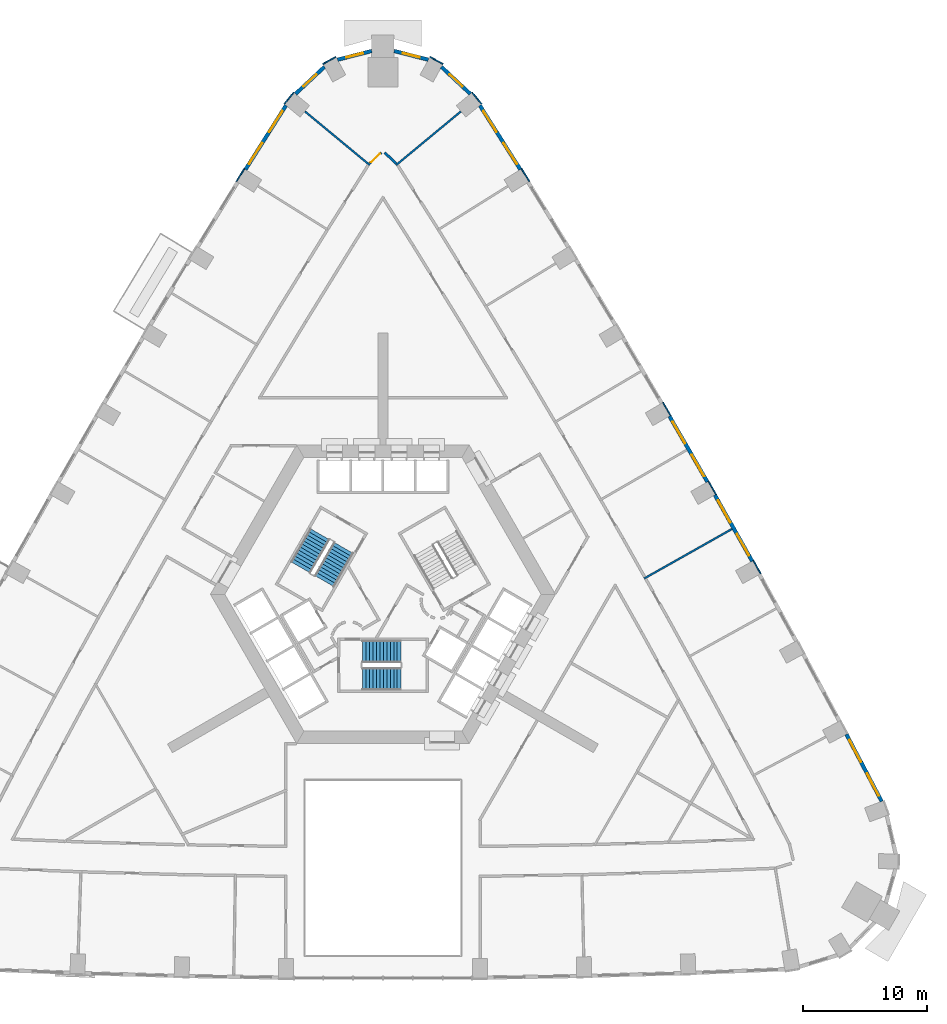
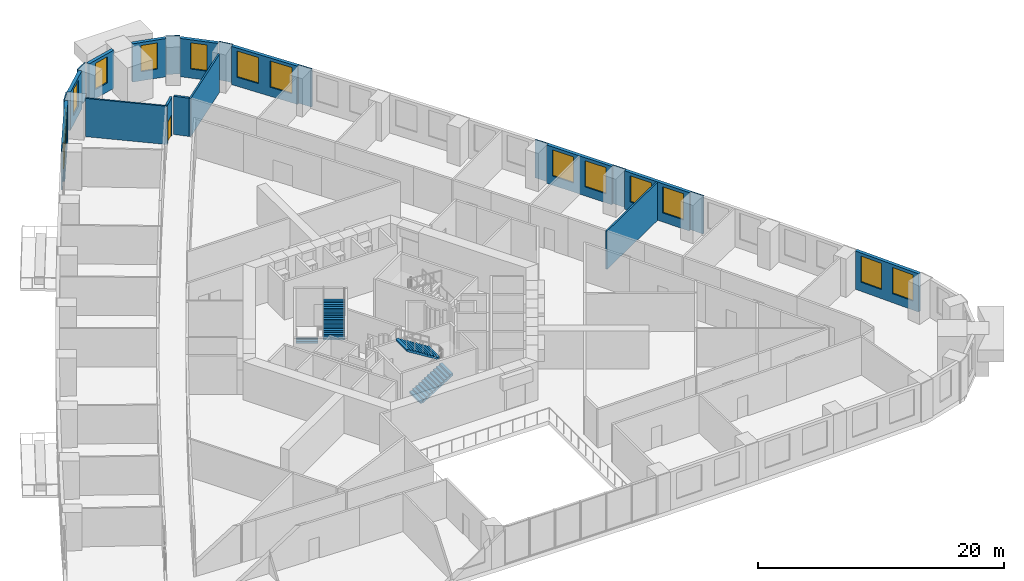
# One storey, part 12 of 16: 23 walls, 14 windows, 4 stair flights, 1 door, 15 openings, 2 elements without a shape of their own.
"""IFC4 building model written with IfcOpenShell, lengths in metres."""

from ifc_helpers import new_model, si_unit, direction, frame, frame_2d, origin, place, context, subcontext, project, spatial, polyline, rectangle, outline, extrude, material, layer, layer_set, type_object, element, fill, aggregate, save


model = new_model("IFC4")

# Units and contexts
model_context = context("Model", 3, precision=1e-05, world=origin(), true_north=direction((0.0, 1.0)))
body_context = subcontext(model_context, "Body", "Model", "MODEL_VIEW")
ifc_project = project(units=[si_unit("LENGTHUNIT", "METRE"), si_unit("AREAUNIT", "SQUARE_METRE"), si_unit("VOLUMEUNIT", "CUBIC_METRE"), si_unit("PLANEANGLEUNIT", "RADIAN"), si_unit("MASSUNIT", "GRAM", prefix="KILO")], contexts=[model_context])

# Site, building, storey
site_placement = place(None, origin())
site = spatial("IfcSite", under=ifc_project, at=site_placement, CompositionType="ELEMENT")
building_placement = place(site_placement, origin())
building = spatial("IfcBuilding", under=site, at=building_placement, Name="Entoto Arch Interchange Tower", CompositionType="ELEMENT")
storey_placement = place(building_placement, frame((0.0, 0.0, 43.39990234375)))
storey = spatial("IfcBuildingStorey", under=building, at=storey_placement, Name="L08", CompositionType="ELEMENT", Elevation=43.39990234375)

# Walls
ifc_material_1 = material(Name="Gypsum board partition on steel studs", Category="steel")
ifc_layer_1 = layer(ifc_material_1, 0.14990234375)
ifc_layer_set_1 = layer_set([ifc_layer_1], Name="Gypsum board partition on steel studs")
wall_type_1 = type_object("IfcWallType", Name="PARTITION 150", PredefinedType="PARTITIONING", material=ifc_layer_set_1)
wall_1_placement = place(storey_placement, frame((20.98291015625, 3.76611328125, 0.0), z_axis=(0.0, 0.0, 1.0), x_axis=(0.871022781656, 0.491242622169, 0.0)))
element("IfcWall", 1, at=wall_1_placement, inside=storey, type_object=wall_type_1, Name="wall:L08:p130", PredefinedType="PARTITIONING", context=body_context, shape_type="SweptSolid", body=[
    extrude(rectangle(XDim=8.099853515625, YDim=0.14990234375, at=frame_2d((4.0498046875, 0.0))), origin(), (0.0, 0.0, 1.0), 3.800048828125),
])
for number, where, z_axis, x_axis, name in (
    (2, (1.06005859375, 36.97998046875, 0.0), (0.0, 0.0, 1.0), (0.770307911054, 0.6376721118, 0.0), "wall:L08:p135"),
    (3, (-1.06005859375, 36.97998046875, 0.0), (0.0, 0.0, 1.0), (-0.770307911054, 0.6376721118, 0.0), "wall:L08:p136"),
):
    element("IfcWall", number, at=place(storey_placement, frame(where, z_axis=z_axis, x_axis=x_axis)), inside=storey, type_object=wall_type_1, Name=name, PredefinedType="PARTITIONING", context=body_context, shape_type="SweptSolid", body=[
        extrude(rectangle(XDim=6.748046875, YDim=0.14990234375, at=frame_2d((3.3740234375, 0.0))), origin(), (0.0, 0.0, 1.0), 3.800048828125),
    ])

# Wall, opening, door
ifc_layer_2 = layer(ifc_material_1, 0.199951171875)
ifc_layer_set_2 = layer_set([ifc_layer_2], Name="Gypsum board partition on steel studs")
wall_type_2 = type_object("IfcWallType", Name="PARTITION 200", PredefinedType="PARTITIONING", material=ifc_layer_set_2)
wall_2_placement = place(storey_placement, frame((-1.06396484375, 37.112060546875, 0.0), z_axis=(0.0, 0.0, 1.0), x_axis=(0.730320833825, 0.683104296342, 0.0)))
wall_2 = element("IfcWall", 4, at=wall_2_placement, inside=storey, type_object=wall_type_2, Name="wall:L08:p053", PredefinedType="PARTITIONING", context=body_context, shape_type="SweptSolid", body=[
    extrude(rectangle(XDim=1.27197265625, YDim=0.199951171875, at=frame_2d((0.635986328125, 0.0))), origin(), (0.0, 0.0, 1.0), 3.800048828125),
])
opening_1_placement = place(wall_2_placement, frame((0.135986328125, 0.0, 0.0)))
opening_1 = element("IfcOpeningElement", 5, at=opening_1_placement, cuts=wall_2, Name="Opening L08-D11", PredefinedType="OPENING", context=body_context, shape_type="SweptSolid", body=[
    extrude(rectangle(XDim=1.0, YDim=2.10009765625, at=frame_2d((0.5, 1.050048828125))), frame((0.0, 0.10986328125, 0.0), z_axis=(0.0, -1.0, 0.0), x_axis=(1.0, 0.0, 0.0)), (0.0, 0.0, 1.0), 0.219970703125),
])
ifc_material_2 = material(Name="Timber door leaf in Steel S235 frame", Category="steel")
door_type = type_object("IfcDoorType", Name="DOOR DS-10 1000x2100", OperationType="SINGLE_SWING_LEFT", PredefinedType="DOOR", material=ifc_material_2)
door_placement = place(opening_1_placement, origin())
door = element("IfcDoor", 6, at=door_placement, inside=storey, type_object=door_type, Name="door:L08:11", OperationType="SINGLE_SWING_RIGHT", OverallHeight=2.10009765625, OverallWidth=1.0, PredefinedType="DOOR", context=body_context, shape_type="SweptSolid", body=[
    extrude(rectangle(XDim=1.0, YDim=2.10009765625, at=frame_2d((0.5, 1.050048828125))), frame((0.0, 0.02490234375, 0.0), z_axis=(0.0, -1.0, 0.0), x_axis=(1.0, 0.0, 0.0)), (0.0, 0.0, 1.0), 0.050048828125),
])
fill(opening_1, door)

# Wall
wall_3_placement = place(storey_placement, frame((0.135009765625, 37.98095703125, 0.0), z_axis=(0.0, 0.0, 1.0), x_axis=(0.730320833825, -0.683104296342, 0.0)))
element("IfcWall", 7, at=wall_3_placement, inside=storey, type_object=wall_type_2, Name="wall:L08:p054", PredefinedType="PARTITIONING", context=body_context, shape_type="SweptSolid", body=[
    extrude(rectangle(XDim=1.27197265625, YDim=0.199951171875, at=frame_2d((0.635986328125, 0.0))), origin(), (0.0, 0.0, 1.0), 3.800048828125),
])

# Wall, openings, windows
ifc_material_3 = material(Name="Welded tuff (ignimbrite) cladding, warm buff", Category="masonry")
ifc_layer_3 = layer(ifc_material_3, 0.300048828125)
ifc_layer_set_3 = layer_set([ifc_layer_3], Name="Welded tuff (ignimbrite) cladding, warm buff")
wall_type_3 = type_object("IfcWallType", Name="STONE INFILL WALL 300", PredefinedType="STANDARD", material=ifc_layer_set_3)
wall_4_placement = place(storey_placement, frame((40.072021484375, -14.14111328125, 0.0), z_axis=(0.0, 0.0, 1.0), x_axis=(-0.464913987781, 0.885355851602, 0.0)))
wall_4 = element("IfcWall", 8, at=wall_4_placement, inside=storey, type_object=wall_type_3, Name="Facade wall NE-01 L08", PredefinedType="STANDARD", context=body_context, shape_type="SweptSolid", body=[
    extrude(rectangle(XDim=6.093505859375, YDim=0.300048828125, at=frame_2d((3.046875, 0.0))), origin(), (0.0, 0.0, 1.0), 3.800048828125),
])
opening_2_placement = place(wall_4_placement, frame((0.52294921875, 0.0, 0.89990234375)))
opening_2 = element("IfcOpeningElement", 9, at=opening_2_placement, cuts=wall_4, Name="Opening WO-C", PredefinedType="OPENING", context=body_context, shape_type="SweptSolid", body=[
    extrude(rectangle(XDim=2.0, YDim=2.60009765625, at=frame_2d((1.0, 1.300048828125))), frame((0.0, 0.16015625, 0.0), z_axis=(0.0, -1.0, 0.0), x_axis=(1.0, 0.0, 0.0)), (0.0, 0.0, 1.0), 0.320068359375),
])
opening_3_placement = place(wall_4_placement, frame((3.570068359375, 0.0, 0.89990234375)))
opening_3 = element("IfcOpeningElement", 10, at=opening_3_placement, cuts=wall_4, Name="Opening WO-C", PredefinedType="OPENING", context=body_context, shape_type="SweptSolid", body=[
    extrude(rectangle(XDim=2.0, YDim=2.60009765625, at=frame_2d((1.0, 1.300048828125))), frame((0.0, 0.16015625, 0.0), z_axis=(0.0, -1.0, 0.0), x_axis=(1.0, 0.0, 0.0)), (0.0, 0.0, 1.0), 0.320068359375),
])
ifc_material_4 = material(Name="Clear glass, low-e double glazed", Category="glass")
window_type_1 = type_object("IfcWindowType", Name="WINDOW WO-C 2000x2600", PartitioningType="DOUBLE_PANEL_VERTICAL", PredefinedType="WINDOW", material=ifc_material_4)
window_1_placement = place(opening_2_placement, origin())
window_1 = element("IfcWindow", 11, at=window_1_placement, inside=storey, type_object=window_type_1, Name="Window WO-C NE-01 L08", OverallHeight=2.60009765625, OverallWidth=2.0, PartitioningType="SINGLE_PANEL", PredefinedType="WINDOW", context=body_context, shape_type="SweptSolid", body=[
    extrude(rectangle(XDim=2.0, YDim=2.60009765625, at=frame_2d((1.0, 1.300048828125))), frame((0.0, 0.030029296875, 0.0), z_axis=(0.0, -1.0, 0.0), x_axis=(1.0, 0.0, 0.0)), (0.0, 0.0, 1.0), 0.06005859375),
])
fill(opening_2, window_1)
window_2_placement = place(opening_3_placement, origin())
window_2 = element("IfcWindow", 12, at=window_2_placement, inside=storey, type_object=window_type_1, Name="Window WO-C NE-01 L08", OverallHeight=2.60009765625, OverallWidth=2.0, PartitioningType="SINGLE_PANEL", PredefinedType="WINDOW", context=body_context, shape_type="SweptSolid", body=[
    extrude(rectangle(XDim=2.0, YDim=2.60009765625, at=frame_2d((1.0, 1.300048828125))), frame((0.0, 0.030029296875, 0.0), z_axis=(0.0, -1.0, 0.0), x_axis=(1.0, 0.0, 0.0)), (0.0, 0.0, 1.0), 0.06005859375),
])
fill(opening_3, window_2)

wall_5_placement = place(storey_placement, frame((29.672119140625, 5.154052734375, 0.0), z_axis=(0.0, 0.0, 1.0), x_axis=(-0.491278487323, 0.871002553322, 0.0)))
wall_5 = element("IfcWall", 13, at=wall_5_placement, inside=storey, type_object=wall_type_3, Name="Facade wall NE-04 L08", PredefinedType="STANDARD", context=body_context, shape_type="SweptSolid", body=[
    extrude(rectangle(XDim=6.116943359375, YDim=0.300048828125, at=frame_2d((3.05859375, 0.0))), origin(), (0.0, 0.0, 1.0), 3.800048828125),
])
opening_4_placement = place(wall_5_placement, frame((0.529052734375, 0.0, 0.89990234375)))
opening_4 = element("IfcOpeningElement", 14, at=opening_4_placement, cuts=wall_5, Name="Opening WO-C", PredefinedType="OPENING", context=body_context, shape_type="SweptSolid", body=[
    extrude(rectangle(XDim=2.0, YDim=2.60009765625, at=frame_2d((1.0, 1.300048828125))), frame((0.0, 0.16015625, 0.0), z_axis=(0.0, -1.0, 0.0), x_axis=(1.0, 0.0, 0.0)), (0.0, 0.0, 1.0), 0.320068359375),
])
opening_5_placement = place(wall_5_placement, frame((3.587890625, 0.0, 0.89990234375)))
opening_5 = element("IfcOpeningElement", 15, at=opening_5_placement, cuts=wall_5, Name="Opening WO-C", PredefinedType="OPENING", context=body_context, shape_type="SweptSolid", body=[
    extrude(rectangle(XDim=2.0, YDim=2.60009765625, at=frame_2d((1.0, 1.300048828125))), frame((0.0, 0.16015625, 0.0), z_axis=(0.0, -1.0, 0.0), x_axis=(1.0, 0.0, 0.0)), (0.0, 0.0, 1.0), 0.320068359375),
])
window_3_placement = place(opening_4_placement, origin())
window_3 = element("IfcWindow", 16, at=window_3_placement, inside=storey, type_object=window_type_1, Name="Window WO-C NE-04 L08", OverallHeight=2.60009765625, OverallWidth=2.0, PartitioningType="SINGLE_PANEL", PredefinedType="WINDOW", context=body_context, shape_type="SweptSolid", body=[
    extrude(rectangle(XDim=2.0, YDim=2.60009765625, at=frame_2d((1.0, 1.300048828125))), frame((0.0, 0.030029296875, 0.0), z_axis=(0.0, -1.0, 0.0), x_axis=(1.0, 0.0, 0.0)), (0.0, 0.0, 1.0), 0.06005859375),
])
fill(opening_4, window_3)
window_4_placement = place(opening_5_placement, origin())
window_4 = element("IfcWindow", 17, at=window_4_placement, inside=storey, type_object=window_type_1, Name="Window WO-C NE-04 L08", OverallHeight=2.60009765625, OverallWidth=2.0, PartitioningType="SINGLE_PANEL", PredefinedType="WINDOW", context=body_context, shape_type="SweptSolid", body=[
    extrude(rectangle(XDim=2.0, YDim=2.60009765625, at=frame_2d((1.0, 1.300048828125))), frame((0.0, 0.030029296875, 0.0), z_axis=(0.0, -1.0, 0.0), x_axis=(1.0, 0.0, 0.0)), (0.0, 0.0, 1.0), 0.06005859375),
])
fill(opening_5, window_4)

wall_6_placement = place(storey_placement, frame((26.072998046875, 11.52197265625, 0.0), z_axis=(0.0, 0.0, 1.0), x_axis=(-0.499976985038, 0.866038691071, 0.0)))
wall_6 = element("IfcWall", 18, at=wall_6_placement, inside=storey, type_object=wall_type_3, Name="Facade wall NE-05 L08", PredefinedType="STANDARD", context=body_context, shape_type="SweptSolid", body=[
    extrude(rectangle(XDim=6.116455078125, YDim=0.300048828125, at=frame_2d((3.05810546875, 0.0))), origin(), (0.0, 0.0, 1.0), 3.800048828125),
])
opening_6_placement = place(wall_6_placement, frame((0.529052734375, 0.0, 0.89990234375)))
opening_6 = element("IfcOpeningElement", 19, at=opening_6_placement, cuts=wall_6, Name="Opening WO-C", PredefinedType="OPENING", context=body_context, shape_type="SweptSolid", body=[
    extrude(rectangle(XDim=2.0, YDim=2.60009765625, at=frame_2d((1.0, 1.300048828125))), frame((0.0, 0.16015625, 0.0), z_axis=(0.0, -1.0, 0.0), x_axis=(1.0, 0.0, 0.0)), (0.0, 0.0, 1.0), 0.320068359375),
])
opening_7_placement = place(wall_6_placement, frame((3.5869140625, 0.0, 0.89990234375)))
opening_7 = element("IfcOpeningElement", 20, at=opening_7_placement, cuts=wall_6, Name="Opening WO-C", PredefinedType="OPENING", context=body_context, shape_type="SweptSolid", body=[
    extrude(rectangle(XDim=2.0, YDim=2.60009765625, at=frame_2d((1.0, 1.300048828125))), frame((0.0, 0.16015625, 0.0), z_axis=(0.0, -1.0, 0.0), x_axis=(1.0, 0.0, 0.0)), (0.0, 0.0, 1.0), 0.320068359375),
])
window_5_placement = place(opening_6_placement, origin())
window_5 = element("IfcWindow", 21, at=window_5_placement, inside=storey, type_object=window_type_1, Name="Window WO-C NE-05 L08", OverallHeight=2.60009765625, OverallWidth=2.0, PartitioningType="SINGLE_PANEL", PredefinedType="WINDOW", context=body_context, shape_type="SweptSolid", body=[
    extrude(rectangle(XDim=2.0, YDim=2.60009765625, at=frame_2d((1.0, 1.300048828125))), frame((0.0, 0.030029296875, 0.0), z_axis=(0.0, -1.0, 0.0), x_axis=(1.0, 0.0, 0.0)), (0.0, 0.0, 1.0), 0.06005859375),
])
fill(opening_6, window_5)
window_6_placement = place(opening_7_placement, origin())
window_6 = element("IfcWindow", 22, at=window_6_placement, inside=storey, type_object=window_type_1, Name="Window WO-C NE-05 L08", OverallHeight=2.60009765625, OverallWidth=2.0, PartitioningType="SINGLE_PANEL", PredefinedType="WINDOW", context=body_context, shape_type="SweptSolid", body=[
    extrude(rectangle(XDim=2.0, YDim=2.60009765625, at=frame_2d((1.0, 1.300048828125))), frame((0.0, 0.030029296875, 0.0), z_axis=(0.0, -1.0, 0.0), x_axis=(1.0, 0.0, 0.0)), (0.0, 0.0, 1.0), 0.06005859375),
])
fill(opening_7, window_6)

wall_7_placement = place(storey_placement, frame((11.044921875, 36.623046875, 0.0), z_axis=(0.0, 0.0, 1.0), x_axis=(-0.53437888117, 0.845245059944, 0.0)))
wall_7 = element("IfcWall", 23, at=wall_7_placement, inside=storey, type_object=wall_type_3, Name="Facade wall NE-09 L08", PredefinedType="STANDARD", context=body_context, shape_type="SweptSolid", body=[
    extrude(rectangle(XDim=6.0927734375, YDim=0.300048828125, at=frame_2d((3.04638671875, 0.0))), origin(), (0.0, 0.0, 1.0), 3.800048828125),
])
opening_8_placement = place(wall_7_placement, frame((0.52294921875, 0.0, 0.89990234375)))
opening_8 = element("IfcOpeningElement", 24, at=opening_8_placement, cuts=wall_7, Name="Opening WO-C", PredefinedType="OPENING", context=body_context, shape_type="SweptSolid", body=[
    extrude(rectangle(XDim=2.0, YDim=2.60009765625, at=frame_2d((1.0, 1.300048828125))), frame((0.0, 0.16015625, 0.0), z_axis=(0.0, -1.0, 0.0), x_axis=(1.0, 0.0, 0.0)), (0.0, 0.0, 1.0), 0.320068359375),
])
opening_9_placement = place(wall_7_placement, frame((3.570068359375, 0.0, 0.89990234375)))
opening_9 = element("IfcOpeningElement", 25, at=opening_9_placement, cuts=wall_7, Name="Opening WO-C", PredefinedType="OPENING", context=body_context, shape_type="SweptSolid", body=[
    extrude(rectangle(XDim=2.0, YDim=2.60009765625, at=frame_2d((1.0, 1.300048828125))), frame((0.0, 0.16015625, 0.0), z_axis=(0.0, -1.0, 0.0), x_axis=(1.0, 0.0, 0.0)), (0.0, 0.0, 1.0), 0.320068359375),
])
window_7_placement = place(opening_8_placement, origin())
window_7 = element("IfcWindow", 26, at=window_7_placement, inside=storey, type_object=window_type_1, Name="Window WO-C NE-09 L08", OverallHeight=2.60009765625, OverallWidth=2.0, PartitioningType="SINGLE_PANEL", PredefinedType="WINDOW", context=body_context, shape_type="SweptSolid", body=[
    extrude(rectangle(XDim=2.0, YDim=2.60009765625, at=frame_2d((1.0, 1.300048828125))), frame((0.0, 0.030029296875, 0.0), z_axis=(0.0, -1.0, 0.0), x_axis=(1.0, 0.0, 0.0)), (0.0, 0.0, 1.0), 0.06005859375),
])
fill(opening_8, window_7)
window_8_placement = place(opening_9_placement, origin())
window_8 = element("IfcWindow", 27, at=window_8_placement, inside=storey, type_object=window_type_1, Name="Window WO-C NE-09 L08", OverallHeight=2.60009765625, OverallWidth=2.0, PartitioningType="SINGLE_PANEL", PredefinedType="WINDOW", context=body_context, shape_type="SweptSolid", body=[
    extrude(rectangle(XDim=2.0, YDim=2.60009765625, at=frame_2d((1.0, 1.300048828125))), frame((0.0, 0.030029296875, 0.0), z_axis=(0.0, -1.0, 0.0), x_axis=(1.0, 0.0, 0.0)), (0.0, 0.0, 1.0), 0.06005859375),
])
fill(opening_9, window_8)

# Wall, opening, window
wall_8_placement = place(storey_placement, frame((7.02490234375, 42.696044921875, 0.0), z_axis=(0.0, 0.0, 1.0), x_axis=(-0.730600984463, 0.682804658377, 0.0)))
wall_8 = element("IfcWall", 28, at=wall_8_placement, inside=storey, type_object=wall_type_3, Name="Facade wall N-01 L08", PredefinedType="STANDARD", context=body_context, shape_type="SweptSolid", body=[
    extrude(rectangle(XDim=3.18212890625, YDim=0.300048828125, at=frame_2d((1.591064453125, 0.0))), origin(), (0.0, 0.0, 1.0), 3.800048828125),
])
opening_10_placement = place(wall_8_placement, frame((0.89111328125, 0.0, 0.89990234375)))
opening_10 = element("IfcOpeningElement", 29, at=opening_10_placement, cuts=wall_8, Name="Opening WO-B", PredefinedType="OPENING", context=body_context, shape_type="SweptSolid", body=[
    extrude(rectangle(XDim=1.39990234375, YDim=2.60009765625, at=frame_2d((0.699951171875, 1.300048828125))), frame((0.0, 0.16015625, 0.0), z_axis=(0.0, -1.0, 0.0), x_axis=(1.0, 0.0, 0.0)), (0.0, 0.0, 1.0), 0.320068359375),
])
window_type_2 = type_object("IfcWindowType", Name="WINDOW WO-B 1400x2600", PartitioningType="DOUBLE_PANEL_VERTICAL", PredefinedType="WINDOW", material=ifc_material_4)
window_9_placement = place(opening_10_placement, origin())
window_9 = element("IfcWindow", 30, at=window_9_placement, inside=storey, type_object=window_type_2, Name="Window WO-B N-01 L08", OverallHeight=2.60009765625, OverallWidth=1.39990234375, PartitioningType="SINGLE_PANEL", PredefinedType="WINDOW", context=body_context, shape_type="SweptSolid", body=[
    extrude(rectangle(XDim=1.39990234375, YDim=2.60009765625, at=frame_2d((0.699951171875, 1.300048828125))), frame((0.0, 0.030029296875, 0.0), z_axis=(0.0, -1.0, 0.0), x_axis=(1.0, 0.0, 0.0)), (0.0, 0.0, 1.0), 0.06005859375),
])
fill(opening_10, window_9)

wall_9_placement = place(storey_placement, frame((3.64990234375, 45.444091796875, 0.0), z_axis=(0.0, 0.0, 1.0), x_axis=(-0.96879262207, 0.247872659694, 0.0)))
wall_9 = element("IfcWall", 31, at=wall_9_placement, inside=storey, type_object=wall_type_3, Name="Facade wall N-02 L08", PredefinedType="STANDARD", context=body_context, shape_type="SweptSolid", body=[
    extrude(rectangle(XDim=2.839599609375, YDim=0.300048828125, at=frame_2d((1.419921875, 0.0))), origin(), (0.0, 0.0, 1.0), 3.800048828125),
])
opening_11_placement = place(wall_9_placement, frame((0.719970703125, 0.0, 0.89990234375)))
opening_11 = element("IfcOpeningElement", 32, at=opening_11_placement, cuts=wall_9, Name="Opening WO-B", PredefinedType="OPENING", context=body_context, shape_type="SweptSolid", body=[
    extrude(rectangle(XDim=1.39990234375, YDim=2.60009765625, at=frame_2d((0.699951171875, 1.300048828125))), frame((0.0, 0.16015625, 0.0), z_axis=(0.0, -1.0, 0.0), x_axis=(1.0, 0.0, 0.0)), (0.0, 0.0, 1.0), 0.320068359375),
])
window_10_placement = place(opening_11_placement, origin())
window_10 = element("IfcWindow", 33, at=window_10_placement, inside=storey, type_object=window_type_2, Name="Window WO-B N-02 L08", OverallHeight=2.60009765625, OverallWidth=1.39990234375, PartitioningType="SINGLE_PANEL", PredefinedType="WINDOW", context=body_context, shape_type="SweptSolid", body=[
    extrude(rectangle(XDim=1.39990234375, YDim=2.60009765625, at=frame_2d((0.699951171875, 1.300048828125))), frame((0.0, 0.030029296875, 0.0), z_axis=(0.0, -1.0, 0.0), x_axis=(1.0, 0.0, 0.0)), (0.0, 0.0, 1.0), 0.06005859375),
])
fill(opening_11, window_10)

wall_10_placement = place(storey_placement, frame((-0.89892578125, 46.14794921875, 0.0), z_axis=(0.0, 0.0, 1.0), x_axis=(-0.96879262207, -0.247872659694, 0.0)))
wall_10 = element("IfcWall", 34, at=wall_10_placement, inside=storey, type_object=wall_type_3, Name="Facade wall N-03 L08", PredefinedType="STANDARD", context=body_context, shape_type="SweptSolid", body=[
    extrude(rectangle(XDim=2.839599609375, YDim=0.300048828125, at=frame_2d((1.419921875, 0.0))), origin(), (0.0, 0.0, 1.0), 3.800048828125),
])
opening_12_placement = place(wall_10_placement, frame((0.719970703125, 0.0, 0.89990234375)))
opening_12 = element("IfcOpeningElement", 35, at=opening_12_placement, cuts=wall_10, Name="Opening WO-B", PredefinedType="OPENING", context=body_context, shape_type="SweptSolid", body=[
    extrude(rectangle(XDim=1.39990234375, YDim=2.60009765625, at=frame_2d((0.699951171875, 1.300048828125))), frame((0.0, 0.16015625, 0.0), z_axis=(0.0, -1.0, 0.0), x_axis=(1.0, 0.0, 0.0)), (0.0, 0.0, 1.0), 0.320068359375),
])
window_11_placement = place(opening_12_placement, origin())
window_11 = element("IfcWindow", 36, at=window_11_placement, inside=storey, type_object=window_type_2, Name="Window WO-B N-03 L08", OverallHeight=2.60009765625, OverallWidth=1.39990234375, PartitioningType="SINGLE_PANEL", PredefinedType="WINDOW", context=body_context, shape_type="SweptSolid", body=[
    extrude(rectangle(XDim=1.39990234375, YDim=2.60009765625, at=frame_2d((0.699951171875, 1.300048828125))), frame((0.0, 0.030029296875, 0.0), z_axis=(0.0, -1.0, 0.0), x_axis=(1.0, 0.0, 0.0)), (0.0, 0.0, 1.0), 0.06005859375),
])
fill(opening_12, window_11)

wall_11_placement = place(storey_placement, frame((-4.699951171875, 44.868896484375, 0.0), z_axis=(0.0, 0.0, 1.0), x_axis=(-0.730600984463, -0.682804658377, 0.0)))
wall_11 = element("IfcWall", 37, at=wall_11_placement, inside=storey, type_object=wall_type_3, Name="Facade wall N-04 L08", PredefinedType="STANDARD", context=body_context, shape_type="SweptSolid", body=[
    extrude(rectangle(XDim=3.18212890625, YDim=0.300048828125, at=frame_2d((1.591064453125, 0.0))), origin(), (0.0, 0.0, 1.0), 3.800048828125),
])
opening_13_placement = place(wall_11_placement, frame((0.89111328125, 0.0, 0.89990234375)))
opening_13 = element("IfcOpeningElement", 38, at=opening_13_placement, cuts=wall_11, Name="Opening WO-B", PredefinedType="OPENING", context=body_context, shape_type="SweptSolid", body=[
    extrude(rectangle(XDim=1.39990234375, YDim=2.60009765625, at=frame_2d((0.699951171875, 1.300048828125))), frame((0.0, 0.16015625, 0.0), z_axis=(0.0, -1.0, 0.0), x_axis=(1.0, 0.0, 0.0)), (0.0, 0.0, 1.0), 0.320068359375),
])
window_12_placement = place(opening_13_placement, origin())
window_12 = element("IfcWindow", 39, at=window_12_placement, inside=storey, type_object=window_type_2, Name="Window WO-B N-04 L08", OverallHeight=2.60009765625, OverallWidth=1.39990234375, PartitioningType="SINGLE_PANEL", PredefinedType="WINDOW", context=body_context, shape_type="SweptSolid", body=[
    extrude(rectangle(XDim=1.39990234375, YDim=2.60009765625, at=frame_2d((0.699951171875, 1.300048828125))), frame((0.0, 0.030029296875, 0.0), z_axis=(0.0, -1.0, 0.0), x_axis=(1.0, 0.0, 0.0)), (0.0, 0.0, 1.0), 0.06005859375),
])
fill(opening_13, window_12)

# Wall, openings, windows
wall_12_placement = place(storey_placement, frame((-7.7890625, 41.77294921875, 0.0), z_axis=(0.0, 0.0, 1.0), x_axis=(-0.53437888117, -0.845245059944, 0.0)))
wall_12 = element("IfcWall", 40, at=wall_12_placement, inside=storey, type_object=wall_type_3, Name="Facade wall NW-01 L08", PredefinedType="STANDARD", context=body_context, shape_type="SweptSolid", body=[
    extrude(rectangle(XDim=6.0927734375, YDim=0.300048828125, at=frame_2d((3.04638671875, 0.0))), origin(), (0.0, 0.0, 1.0), 3.800048828125),
])
opening_14_placement = place(wall_12_placement, frame((0.52294921875, 0.0, 0.89990234375)))
opening_14 = element("IfcOpeningElement", 41, at=opening_14_placement, cuts=wall_12, Name="Opening WO-C", PredefinedType="OPENING", context=body_context, shape_type="SweptSolid", body=[
    extrude(rectangle(XDim=2.0, YDim=2.60009765625, at=frame_2d((1.0, 1.300048828125))), frame((0.0, 0.16015625, 0.0), z_axis=(0.0, -1.0, 0.0), x_axis=(1.0, 0.0, 0.0)), (0.0, 0.0, 1.0), 0.320068359375),
])
opening_15_placement = place(wall_12_placement, frame((3.570068359375, 0.0, 0.89990234375)))
opening_15 = element("IfcOpeningElement", 42, at=opening_15_placement, cuts=wall_12, Name="Opening WO-C", PredefinedType="OPENING", context=body_context, shape_type="SweptSolid", body=[
    extrude(rectangle(XDim=2.0, YDim=2.60009765625, at=frame_2d((1.0, 1.300048828125))), frame((0.0, 0.16015625, 0.0), z_axis=(0.0, -1.0, 0.0), x_axis=(1.0, 0.0, 0.0)), (0.0, 0.0, 1.0), 0.320068359375),
])
window_13_placement = place(opening_14_placement, origin())
window_13 = element("IfcWindow", 43, at=window_13_placement, inside=storey, type_object=window_type_1, Name="Window WO-C NW-01 L08", OverallHeight=2.60009765625, OverallWidth=2.0, PartitioningType="SINGLE_PANEL", PredefinedType="WINDOW", context=body_context, shape_type="SweptSolid", body=[
    extrude(rectangle(XDim=2.0, YDim=2.60009765625, at=frame_2d((1.0, 1.300048828125))), frame((0.0, 0.030029296875, 0.0), z_axis=(0.0, -1.0, 0.0), x_axis=(1.0, 0.0, 0.0)), (0.0, 0.0, 1.0), 0.06005859375),
])
fill(opening_14, window_13)
window_14_placement = place(opening_15_placement, origin())
window_14 = element("IfcWindow", 44, at=window_14_placement, inside=storey, type_object=window_type_1, Name="Window WO-C NW-01 L08", OverallHeight=2.60009765625, OverallWidth=2.0, PartitioningType="SINGLE_PANEL", PredefinedType="WINDOW", context=body_context, shape_type="SweptSolid", body=[
    extrude(rectangle(XDim=2.0, YDim=2.60009765625, at=frame_2d((1.0, 1.300048828125))), frame((0.0, 0.030029296875, 0.0), z_axis=(0.0, -1.0, 0.0), x_axis=(1.0, 0.0, 0.0)), (0.0, 0.0, 1.0), 0.06005859375),
])
fill(opening_15, window_14)

# Walls
ifc_layer_4 = layer(ifc_material_3, 0.10009765625)
ifc_layer_set_4 = layer_set([ifc_layer_4], Name="Welded tuff (ignimbrite) cladding, warm buff")
wall_type_4 = type_object("IfcWallType", Name="STONE PIER CLADDING 100", PredefinedType="STANDARD", material=ifc_layer_set_4)
for number, where, z_axis, x_axis, name in (
    (45, (4.824951171875, 45.094970703125, 0.0), (0.0, 0.0, 1.0), (-0.877155474831, 0.480206489934, 0.0), "Stone pier N1 L08"),
    (46, (-3.77294921875, 45.6708984375, 0.0), (0.0, 0.0, 1.0), (-0.877155474831, -0.480206489934, 0.0), "Stone pier N3 L08"),
):
    element("IfcWall", number, at=place(storey_placement, frame(where, z_axis=z_axis, x_axis=x_axis)), inside=storey, type_object=wall_type_4, Name=name, PredefinedType="STANDARD", context=body_context, shape_type="SweptSolid", body=[
        extrude(rectangle(XDim=1.19921875, YDim=0.10009765625, at=frame_2d((0.599609375, 0.0))), origin(), (0.0, 0.0, 1.0), 3.800048828125),
    ])
wall_13_placement = place(storey_placement, frame((30.344970703125, 4.156982421875, 0.0), z_axis=(0.0, 0.0, 1.0), x_axis=(-0.486730996044, 0.87355190887, 0.0)))
element("IfcWall", 47, at=wall_13_placement, inside=storey, type_object=wall_type_4, Name="Stone pier NE04 L08", PredefinedType="STANDARD", context=body_context, shape_type="SweptSolid", body=[
    extrude(rectangle(XDim=1.19970703125, YDim=0.10009765625, at=frame_2d((0.599853515625, 0.0))), origin(), (0.0, 0.0, 1.0), 3.800048828125),
])
wall_14_placement = place(storey_placement, frame((26.757080078125, 10.531982421875, 0.0), z_axis=(0.0, 0.0, 1.0), x_axis=(-0.495854054996, 0.868405870629, 0.0)))
element("IfcWall", 48, at=wall_14_placement, inside=storey, type_object=wall_type_4, Name="Stone pier NE05 L08", PredefinedType="STANDARD", context=body_context, shape_type="SweptSolid", body=[
    extrude(rectangle(XDim=1.199951171875, YDim=0.10009765625, at=frame_2d((0.60009765625, 0.0))), origin(), (0.0, 0.0, 1.0), 3.800048828125),
])
wall_15_placement = place(storey_placement, frame((23.10400390625, 16.8701171875, 0.0), z_axis=(0.0, 0.0, 1.0), x_axis=(-0.504313844903, 0.863520437418, 0.0)))
element("IfcWall", 49, at=wall_15_placement, inside=storey, type_object=wall_type_4, Name="Stone pier NE06 L08", PredefinedType="STANDARD", context=body_context, shape_type="SweptSolid", body=[
    extrude(rectangle(XDim=1.19970703125, YDim=0.10009765625, at=frame_2d((0.599853515625, 0.0))), origin(), (0.0, 0.0, 1.0), 3.800048828125),
])
for number, where, z_axis, x_axis, name in (
    (50, (11.76806640625, 35.660888671875, 0.0), (0.0, 0.0, 1.0), (-0.53018187123, 0.847883944546, 0.0), "Stone pier NE09 L08"),
    (51, (7.927001953125, 41.885986328125, 0.0), (0.0, 0.0, 1.0), (-0.637638520791, 0.770335716947, 0.0), "Stone pier NE10 L08"),
    (52, (-7.162109375, 42.81005859375, 0.0), (0.0, 0.0, 1.0), (-0.637638520791, -0.770335716947, 0.0), "Stone pier NW01 L08"),
    (53, (-11.132080078125, 36.677978515625, 0.0), (0.0, 0.0, 1.0), (-0.53018187123, -0.847883944546, 0.0), "Stone pier NW02 L08"),
):
    element("IfcWall", number, at=place(storey_placement, frame(where, z_axis=z_axis, x_axis=x_axis)), inside=storey, type_object=wall_type_4, Name=name, PredefinedType="STANDARD", context=body_context, shape_type="SweptSolid", body=[
        extrude(rectangle(XDim=1.199462890625, YDim=0.10009765625, at=frame_2d((0.599609375, 0.0))), origin(), (0.0, 0.0, 1.0), 3.800048828125),
    ])

# Stair, stair flights
ifc_material_5 = material(Name="Concrete C40/50", Category="concrete")
stair_type = type_object("IfcStairType", Name="EXIT STAIR RC 1800", PredefinedType="HALF_TURN_STAIR", material=ifc_material_5)
stair_1_placement = place(storey_placement, origin())
stair_1 = element("IfcStair", 54, at=stair_1_placement, inside=storey, type_object=stair_type, Name="L08 Exit stair S", PredefinedType="HALF_TURN_STAIR")
stair_flight_type = type_object("IfcStairFlightType", Name="EXIT STAIR FLIGHT RC 1800", PredefinedType="STRAIGHT", material=ifc_material_5)
stair_flight_1_placement = place(storey_placement, frame((-1.64990234375, -4.300048828125, 0.0), z_axis=(0.0, 0.0, 1.0), x_axis=(1.0, 0.0, 0.0)))
stair_flight_1 = element("IfcStairFlight", 55, at=stair_flight_1_placement, type_object=stair_flight_type, Name="ST-S flight 1", NumberOfRisers=12, NumberOfTreads=11, PredefinedType="STRAIGHT", RiserHeight=0.175, TreadLength=0.28, context=body_context, shape_type="SweptSolid", body=[
    extrude(outline(polyline([(-0.0029296875, 0.0), (-0.0029296875, 0.175048828125), (0.280029296875, 0.175048828125), (0.280029296875, 0.35009765625), (0.56005859375, 0.35009765625), (0.56005859375, 0.52490234375), (0.840087890625, 0.52490234375), (0.840087890625, 0.699951171875), (1.1201171875, 0.699951171875), (1.1201171875, 0.875), (1.39990234375, 0.875), (1.39990234375, 1.050048828125), (1.679931640625, 1.050048828125), (1.679931640625, 1.22509765625), (1.9599609375, 1.22509765625), (1.9599609375, 1.39990234375), (2.239990234375, 1.39990234375), (2.239990234375, 1.574951171875), (2.52001953125, 1.574951171875), (2.52001953125, 1.75), (2.800048828125, 1.75), (2.800048828125, 1.925048828125), (3.080078125, 1.925048828125), (3.0830078125, 1.925048828125), (3.0830078125, 1.75), (0.28271484375, 0.0), (-0.0029296875, 0.0)])), frame((0.0, 0.89990234375, 0.0), z_axis=(0.0, -1.0, 0.0), x_axis=(1.0, 0.0, 0.0)), (0.0, 0.0, 1.0), 1.800048828125),
])
stair_flight_2_placement = place(storey_placement, frame((1.429931640625, -2.10009765625, 2.10009765625), z_axis=(0.0, 0.0, 1.0), x_axis=(-1.0, 0.0, 0.0)))
stair_flight_2 = element("IfcStairFlight", 56, at=stair_flight_2_placement, type_object=stair_flight_type, Name="ST-S flight 2", NumberOfRisers=12, NumberOfTreads=11, PredefinedType="STRAIGHT", RiserHeight=0.175, TreadLength=0.28, context=body_context, shape_type="SweptSolid", body=[
    extrude(outline(polyline([(-0.0029296875, 0.0), (-0.0029296875, 0.175048828125), (0.280029296875, 0.175048828125), (0.280029296875, 0.35009765625), (0.56005859375, 0.35009765625), (0.56005859375, 0.52490234375), (0.840087890625, 0.52490234375), (0.840087890625, 0.699951171875), (1.1201171875, 0.699951171875), (1.1201171875, 0.875), (1.39990234375, 0.875), (1.39990234375, 1.050048828125), (1.679931640625, 1.050048828125), (1.679931640625, 1.22509765625), (1.9599609375, 1.22509765625), (1.9599609375, 1.39990234375), (2.239990234375, 1.39990234375), (2.239990234375, 1.574951171875), (2.52001953125, 1.574951171875), (2.52001953125, 1.75), (2.800048828125, 1.75), (2.800048828125, 1.925048828125), (3.080078125, 1.925048828125), (3.0830078125, 1.925048828125), (3.0830078125, 1.75), (0.28271484375, 0.0), (-0.0029296875, 0.0)])), frame((0.0, 0.89990234375, 0.0), z_axis=(0.0, -1.0, 0.0), x_axis=(1.0, 0.0, 0.0)), (0.0, 0.0, 1.0), 1.800048828125),
])
aggregate(stair_1, [stair_flight_1, stair_flight_2])

stair_2_placement = place(storey_placement, origin())
stair_2 = element("IfcStair", 57, at=stair_2_placement, inside=storey, type_object=stair_type, Name="L08 Exit stair NW", PredefinedType="HALF_TURN_STAIR")
stair_flight_3_placement = place(storey_placement, frame((-5.06396484375, 7.328857421875, 0.0), z_axis=(0.0, 0.0, 1.0), x_axis=(-0.5, -0.866025403784, 0.0)))
stair_flight_3 = element("IfcStairFlight", 58, at=stair_flight_3_placement, type_object=stair_flight_type, Name="ST-NW flight 1", NumberOfRisers=12, NumberOfTreads=11, PredefinedType="STRAIGHT", RiserHeight=0.175, TreadLength=0.28, context=body_context, shape_type="SweptSolid", body=[
    extrude(outline(polyline([(-0.0029296875, 0.0), (-0.0029296875, 0.175048828125), (0.280029296875, 0.175048828125), (0.280029296875, 0.35009765625), (0.56005859375, 0.35009765625), (0.56005859375, 0.52490234375), (0.840087890625, 0.52490234375), (0.840087890625, 0.699951171875), (1.1201171875, 0.699951171875), (1.1201171875, 0.875), (1.39990234375, 0.875), (1.39990234375, 1.050048828125), (1.679931640625, 1.050048828125), (1.679931640625, 1.22509765625), (1.9599609375, 1.22509765625), (1.9599609375, 1.39990234375), (2.239990234375, 1.39990234375), (2.239990234375, 1.574951171875), (2.52001953125, 1.574951171875), (2.52001953125, 1.75), (2.800048828125, 1.75), (2.800048828125, 1.925048828125), (3.080078125, 1.925048828125), (3.0830078125, 1.925048828125), (3.0830078125, 1.75), (0.28271484375, 0.0), (-0.0029296875, 0.0)])), frame((0.0, 0.89990234375, 0.0), z_axis=(0.0, -1.0, 0.0), x_axis=(1.0, 0.0, 0.0)), (0.0, 0.0, 1.0), 1.800048828125),
])
stair_flight_4_placement = place(storey_placement, frame((-4.69873046875, 3.5615234375, 2.10009765625), z_axis=(0.0, 0.0, 1.0), x_axis=(0.5, 0.866025403784, 0.0)))
stair_flight_4 = element("IfcStairFlight", 59, at=stair_flight_4_placement, type_object=stair_flight_type, Name="ST-NW flight 2", NumberOfRisers=12, NumberOfTreads=11, PredefinedType="STRAIGHT", RiserHeight=0.175, TreadLength=0.28, context=body_context, shape_type="SweptSolid", body=[
    extrude(outline(polyline([(-0.0029296875, 0.0), (-0.0029296875, 0.175048828125), (0.280029296875, 0.175048828125), (0.280029296875, 0.35009765625), (0.56005859375, 0.35009765625), (0.56005859375, 0.52490234375), (0.840087890625, 0.52490234375), (0.840087890625, 0.699951171875), (1.1201171875, 0.699951171875), (1.1201171875, 0.875), (1.39990234375, 0.875), (1.39990234375, 1.050048828125), (1.679931640625, 1.050048828125), (1.679931640625, 1.22509765625), (1.9599609375, 1.22509765625), (1.9599609375, 1.39990234375), (2.239990234375, 1.39990234375), (2.239990234375, 1.574951171875), (2.52001953125, 1.574951171875), (2.52001953125, 1.75), (2.800048828125, 1.75), (2.800048828125, 1.925048828125), (3.080078125, 1.925048828125), (3.0830078125, 1.925048828125), (3.0830078125, 1.75), (0.28271484375, 0.0), (-0.0029296875, 0.0)])), frame((0.0, 0.89990234375, 0.0), z_axis=(0.0, -1.0, 0.0), x_axis=(1.0, 0.0, 0.0)), (0.0, 0.0, 1.0), 1.800048828125),
])
aggregate(stair_2, [stair_flight_3, stair_flight_4])

save(model, "model.ifc")
